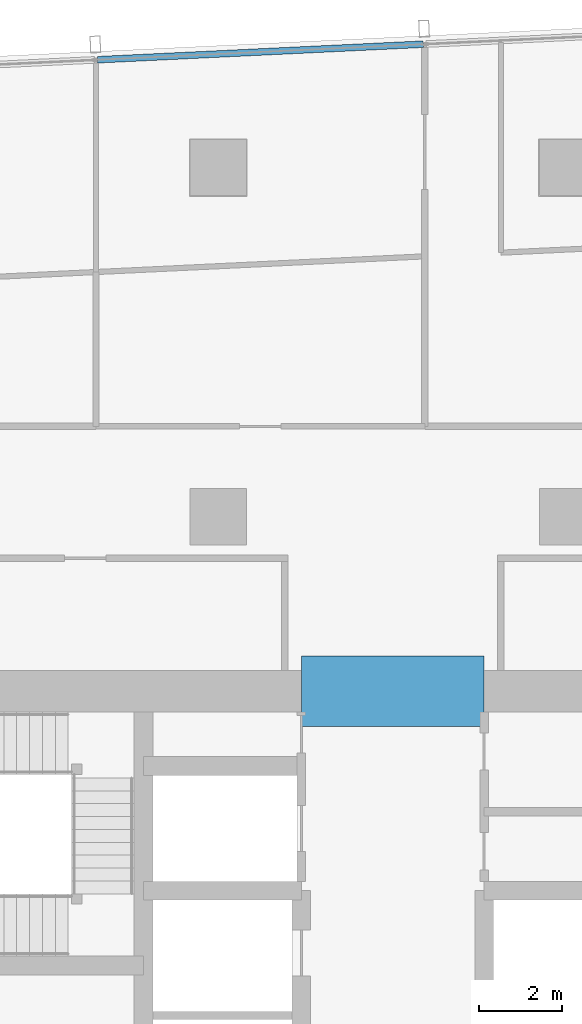
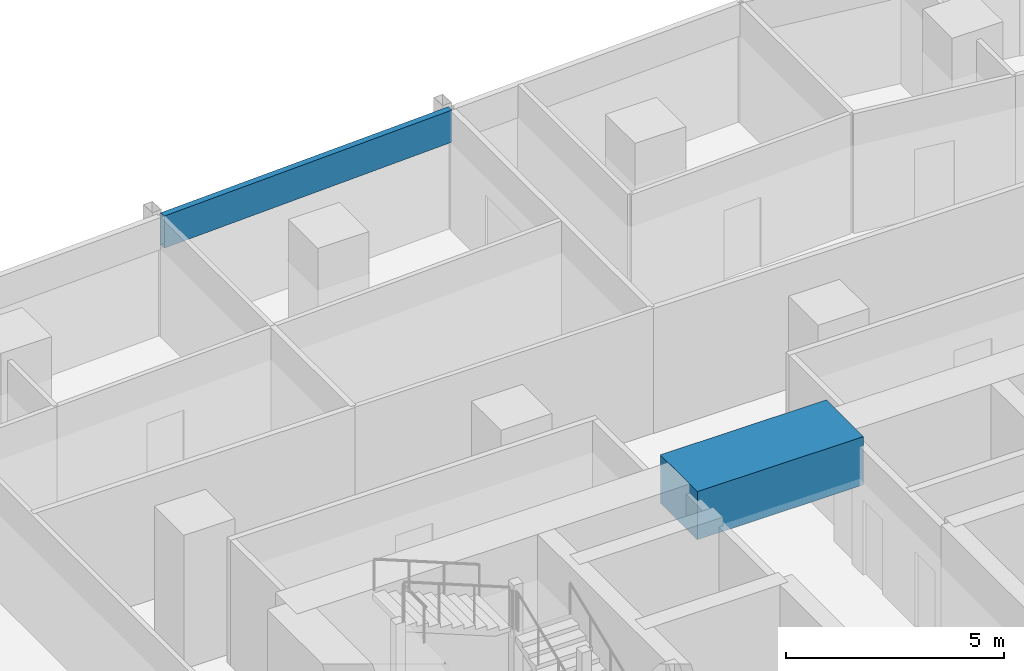
# One storey, part 17 of 35: 1 beam, 1 member, 1 element without a shape of its own.
"""IFC4 building model written with IfcOpenShell, lengths in metres."""

import ifcopenshell
import ifcopenshell.guid

model = None  # the IFC model being written
_history = None  # IfcOwnerHistory: only IFC2X3 demands one
_inside = {}  # id of a spatial element -> (the spatial element, [elements in it])
_under = {}  # id of a project, library or spatial element -> (it, [spatial elements below it])
_declared = {}  # id of a project -> (the project, [libraries it declares])
_typed = {}  # id of a type object -> (the type object, [elements of that type])
_made_of = {}  # id of a material, layer set ... -> (it, [elements and type objects made of it])


def new_model(schema):
    """Start an empty IFC model of exactly this schema.

    Asked for "IFC4X3", IfcOpenShell would pick the latest addendum, in which some entities
    have other attributes; the version numbers below select the first issue.
    IFC2X3 requires an IfcOwnerHistory on every rooted entity: one is made here for all.
    """
    global model, _history
    if schema == "IFC4X3":
        model = ifcopenshell.file(schema_version=(4, 3, 0, 0))
    else:
        model = ifcopenshell.file(schema=schema)
    _inside.clear()
    _under.clear()
    _declared.clear()
    _typed.clear()
    _made_of.clear()
    _history = None
    if model.schema == "IFC2X3":
        org = make("IfcOrganization", Name="unknown")
        user = make(
            "IfcPersonAndOrganization",
            ThePerson=make("IfcPerson", FamilyName="unknown"),
            TheOrganization=org,
        )
        app = make(
            "IfcApplication",
            ApplicationDeveloper=org,
            Version="unknown",
            ApplicationFullName="unknown",
            ApplicationIdentifier="unknown",
        )
        _history = make(
            "IfcOwnerHistory",
            OwningUser=user,
            OwningApplication=app,
            ChangeAction="ADDED",
            CreationDate=0,
        )
    return model


def make(cls, **values):
    """One entity of the class cls with the attributes given. An attribute that is None is left unset."""
    return model.create_entity(
        cls, **{name: value for name, value in values.items() if value is not None}
    )


def rooted(cls, **values):
    """An entity with a GlobalId (a new one), such as an element, a storey or a relation."""
    return make(cls, GlobalId=ifcopenshell.guid.new(), OwnerHistory=_history, **values)


def si_unit(unit_type, name, prefix=None):
    """IfcSIUnit, for example si_unit("LENGTHUNIT", "METRE", prefix="MILLI")."""
    return make("IfcSIUnit", UnitType=unit_type, Prefix=prefix, Name=name)


def assignment(units):
    """IfcUnitAssignment: the units of a project."""
    return None if units is None else make("IfcUnitAssignment", Units=units)


def point(xyz):
    """IfcCartesianPoint."""
    return None if xyz is None else make("IfcCartesianPoint", Coordinates=xyz)


def direction(xyz):
    """IfcDirection."""
    return None if xyz is None else make("IfcDirection", DirectionRatios=xyz)


def frame(location, z_axis=None, x_axis=None):
    """IfcAxis2Placement3D, a coordinate frame: its origin and axes. An axis left out is left unset."""
    return make(
        "IfcAxis2Placement3D",
        Location=point(location),
        Axis=direction(z_axis),
        RefDirection=direction(x_axis),
    )


def frame_2d(location, x_axis=None):
    """IfcAxis2Placement2D, a coordinate frame in the plane: its origin and x axis."""
    return make(
        "IfcAxis2Placement2D", Location=point(location), RefDirection=direction(x_axis)
    )


def origin():
    """The frame at (0, 0, 0) with its axes left unset."""
    return frame((0.0, 0.0, 0.0))


def origin_2d():
    """The frame at (0, 0) in the plane with its x axis left unset."""
    return frame_2d((0.0, 0.0))


def place(relative_to, where):
    """IfcLocalPlacement: puts the frame where relative to a parent placement (None: the world)."""
    return make(
        "IfcLocalPlacement", PlacementRelTo=relative_to, RelativePlacement=where
    )


def context(
    kind, dimensions, precision=None, world=None, true_north=None, identifier=None
):
    """IfcGeometricRepresentationContext, for example the 3D "Model" context."""
    return make(
        "IfcGeometricRepresentationContext",
        ContextIdentifier=identifier,
        ContextType=kind,
        CoordinateSpaceDimension=dimensions,
        Precision=precision,
        WorldCoordinateSystem=world,
        TrueNorth=true_north,
    )


def subcontext(parent, identifier, kind, view, scale=None):
    """IfcGeometricRepresentationSubContext, for example "Body" below "Model"."""
    return make(
        "IfcGeometricRepresentationSubContext",
        ContextIdentifier=identifier,
        ContextType=kind,
        ParentContext=parent,
        TargetScale=scale,
        TargetView=view,
    )


def project(units=None, contexts=None):
    """IfcProject with its units and contexts."""
    return rooted(
        "IfcProject",
        Name="project",
        RepresentationContexts=contexts,
        UnitsInContext=assignment(units),
    )


def spatial(cls, under=None, at=None, **own):
    """A site, building, storey or space (cls), placed at a placement, below another one or the project."""
    s = rooted(cls, ObjectPlacement=at, **own)
    if under is not None:
        _under.setdefault(under.id(), (under, []))[1].append(s)
    return s


def profile(cls, at=None, kind="AREA", **sizes):
    """A parametric profile (cls). Its sizes go by their IFC names, for example OverallWidth=200.0."""
    return make(cls, ProfileType=kind, Position=at, **sizes)


def rectangle(**sizes):
    """IfcRectangleProfileDef."""
    return profile("IfcRectangleProfileDef", **sizes)


def hollow_rectangle(**sizes):
    """IfcRectangleHollowProfileDef."""
    return profile("IfcRectangleHollowProfileDef", **sizes)


def extrude(swept, where, along, depth):
    """IfcExtrudedAreaSolid: the profile swept, set in the frame where, extruded along a direction by depth."""
    return make(
        "IfcExtrudedAreaSolid",
        SweptArea=swept,
        Position=where,
        ExtrudedDirection=direction(along),
        Depth=depth,
    )


def shape(context_of_items, identifier, shape_type, items):
    """IfcShapeRepresentation: the items that make up one representation, for example the "Body"."""
    return make(
        "IfcShapeRepresentation",
        ContextOfItems=context_of_items,
        RepresentationIdentifier=identifier,
        RepresentationType=shape_type,
        Items=items,
    )


def material(Name=None, Category=None):
    """IfcMaterial."""
    return make("IfcMaterial", Name=Name, Category=Category)


def material_profile(
    of_material, cross_section, Name=None, Category=None, Priority=None
):
    """IfcMaterialProfile: a cross section and its material."""
    return make(
        "IfcMaterialProfile",
        Name=Name,
        Material=of_material,
        Profile=cross_section,
        Priority=Priority,
        Category=Category,
    )


def profile_set(profiles, Name=None, composite=None):
    """IfcMaterialProfileSet."""
    return make(
        "IfcMaterialProfileSet",
        Name=Name,
        MaterialProfiles=profiles,
        CompositeProfile=composite,
    )


def made_of(thing, what):
    """Note that an element or type object is made of a material, layer set ...; save() writes the relation."""
    if what is not None:
        _made_of.setdefault(what.id(), (what, []))[1].append(thing)
    return thing


def type_object(cls, material=None, **own):
    """A type object (cls), such as IfcWallType, which elements share."""
    return made_of(rooted(cls, **own), material)


def element(
    cls,
    number,
    at=None,
    inside=None,
    cuts=None,
    type_object=None,
    material=None,
    context=None,
    identifier="Body",
    shape_type=None,
    held_by="IfcProductDefinitionShape",
    body=None,
    shapes=None,
    **own,
):
    """One element of the class cls, such as IfcWall. Its Tag is "e" and its number.

    at: its placement. inside: the storey or other place that contains it. cuts: it is an
    opening in that element (IfcRelVoidsElement). A single representation is given by context,
    identifier, shape_type and body (its items); several are given by shapes. held_by: the class
    of the entity that holds the representations. save() writes the other relations.
    """
    e = rooted(cls, Tag="e%d" % number, ObjectPlacement=at, **own)
    if body is not None:
        shapes = [shape(context, identifier, shape_type, body)]
    if shapes is not None:
        e.Representation = make(held_by, Representations=shapes)
    if inside is not None:
        _inside.setdefault(inside.id(), (inside, []))[1].append(e)
    if cuts is not None:
        rooted(
            "IfcRelVoidsElement", RelatingBuildingElement=cuts, RelatedOpeningElement=e
        )
    if type_object is not None:
        _typed.setdefault(type_object.id(), (type_object, []))[1].append(e)
    return made_of(e, material)


def aggregate(whole, parts):
    """IfcRelAggregates: a whole, such as a stair, and the parts it consists of."""
    return rooted("IfcRelAggregates", RelatingObject=whole, RelatedObjects=parts)


def save(model, path):
    """Write the relations noted so far, then the file.

    IfcRelAggregates (storeys below a building ...), IfcRelContainedInSpatialStructure (elements
    in a storey), IfcRelDefinesByType, IfcRelAssociatesMaterial and IfcRelDeclares: one each for
    every whole, place, type object, material and project.
    """
    for whole, parts in _under.values():
        aggregate(whole, parts)
    for where, things in _inside.values():
        rooted(
            "IfcRelContainedInSpatialStructure",
            RelatedElements=things,
            RelatingStructure=where,
        )
    for kind, things in _typed.values():
        rooted("IfcRelDefinesByType", RelatedObjects=things, RelatingType=kind)
    for what, things in _made_of.values():
        rooted("IfcRelAssociatesMaterial", RelatedObjects=things, RelatingMaterial=what)
    for by, libraries in _declared.values():
        rooted("IfcRelDeclares", RelatingContext=by, RelatedDefinitions=libraries)
    model.write(path)


model = new_model("IFC4")

# Units and contexts
model_context = context("Model", 3, precision=1e-05, world=origin(), true_north=direction((0.0, 1.0)))
body_context = subcontext(model_context, "Body", "Model", "MODEL_VIEW")
ifc_project = project(units=[si_unit("LENGTHUNIT", "METRE"), si_unit("AREAUNIT", "SQUARE_METRE"), si_unit("VOLUMEUNIT", "CUBIC_METRE"), si_unit("PLANEANGLEUNIT", "RADIAN"), si_unit("MASSUNIT", "GRAM", prefix="KILO")], contexts=[model_context])

# Site, building, storey
site_placement = place(None, origin())
site = spatial("IfcSite", under=ifc_project, at=site_placement, CompositionType="ELEMENT")
building_placement = place(site_placement, origin())
building = spatial("IfcBuilding", under=site, at=building_placement, Name="Rekha Terrace Tower", CompositionType="ELEMENT")
storey_placement = place(building_placement, frame((0.0, 0.0, 191.449951171875)))
storey = spatial("IfcBuildingStorey", under=building, at=storey_placement, Name="L48", CompositionType="ELEMENT", Elevation=191.449951171875)

# Curtain wall, member
ifc_material_1 = material(Name="Aluminium framing", Category="aluminium")
curtain_wall_type = type_object("IfcCurtainWallType", Name="CW3 north unitised glazing", PredefinedType="USERDEFINED", material=ifc_material_1)
curtain_wall_placement = place(storey_placement, origin())
curtain_wall = element("IfcCurtainWall", 1, at=curtain_wall_placement, inside=storey, type_object=curtain_wall_type, Name="CW3 unitised curtain wall", ObjectType="UNITISED CURTAIN WALL", PredefinedType="USERDEFINED")
ifc_material_2 = material(Name="Insulated aluminium spandrel box", Category="aluminium")
ifc_material_profile_1 = material_profile(ifc_material_2, hollow_rectangle(XDim=0.159912109375, YDim=0.89990234375, WallThickness=0.0029296875, at=origin_2d()), Name="AL SPANDREL BOX 160x900")
ifc_profile_set_1 = profile_set([ifc_material_profile_1], Name="Insulated aluminium spandrel box")
member_type = type_object("IfcMemberType", Name="CW3 spandrel transom 160 x 900", PredefinedType="USERDEFINED", material=ifc_profile_set_1)
member_placement = place(storey_placement, frame((38.53515625, 61.76953125, 3.050048828125), z_axis=(-0.998859252362, -0.047751376635, 0.0), x_axis=(0.047751376635, -0.998859252362, 0.0)))
member = element("IfcMember", 2, at=member_placement, type_object=member_type, Name="CW3 spandrel transom 2", ObjectType="TRANSOM", PredefinedType="USERDEFINED", context=body_context, shape_type="SweptSolid", body=[
    extrude(hollow_rectangle(XDim=0.159912109375, YDim=0.89990234375, WallThickness=0.0029296875, at=origin_2d()), origin(), (0.0, 0.0, 1.0), 7.84814453125),
])
aggregate(curtain_wall, [member])

# Beam
ifc_material_3 = material(Name="Concrete M60", Category="concrete")
ifc_material_profile_2 = material_profile(ifc_material_3, rectangle(XDim=1.699951171875, YDim=1.35009765625, at=origin_2d()), Name="RC 1700x1350")
ifc_profile_set_2 = profile_set([ifc_material_profile_2], Name="Concrete M60")
beam_type = type_object("IfcBeamType", Name="LB3A 1700x1350 diagonally reinforced coupling beam", PredefinedType="LINTEL", material=ifc_profile_set_2)
beam_placement = place(storey_placement, frame((35.60009765625, 46.199951171875, 3.074951171875), z_axis=(1.0, 0.0, 0.0), x_axis=(0.0, 1.0, 0.0)))
element("IfcBeam", 3, at=beam_placement, inside=storey, type_object=beam_type, Name="Coupling beam LB3A N L48", PredefinedType="LINTEL", context=body_context, shape_type="SweptSolid", body=[
    extrude(rectangle(XDim=1.699951171875, YDim=1.35009765625, at=origin_2d()), origin(), (0.0, 0.0, 1.0), 4.39990234375),
])

save(model, "model.ifc")
